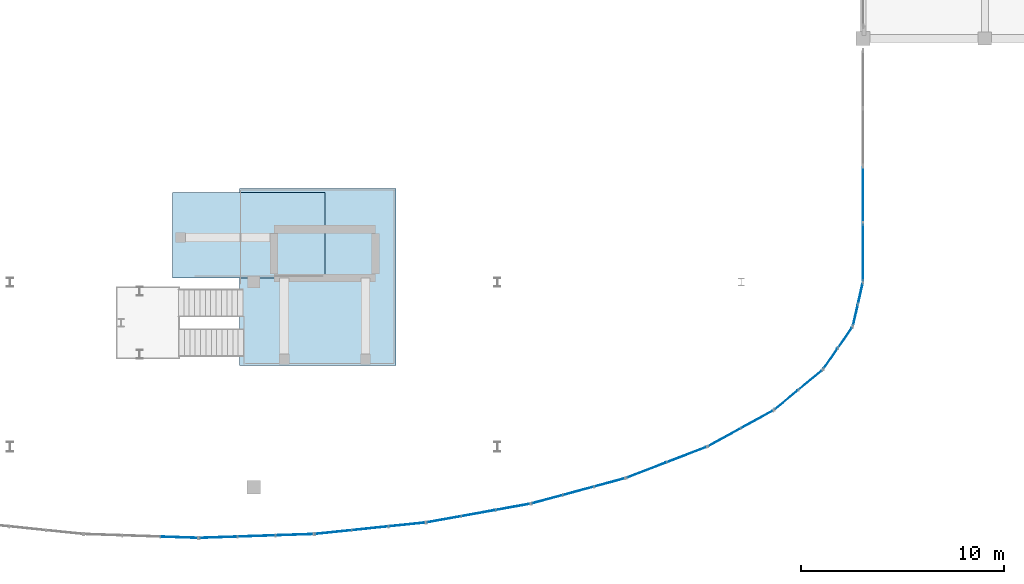
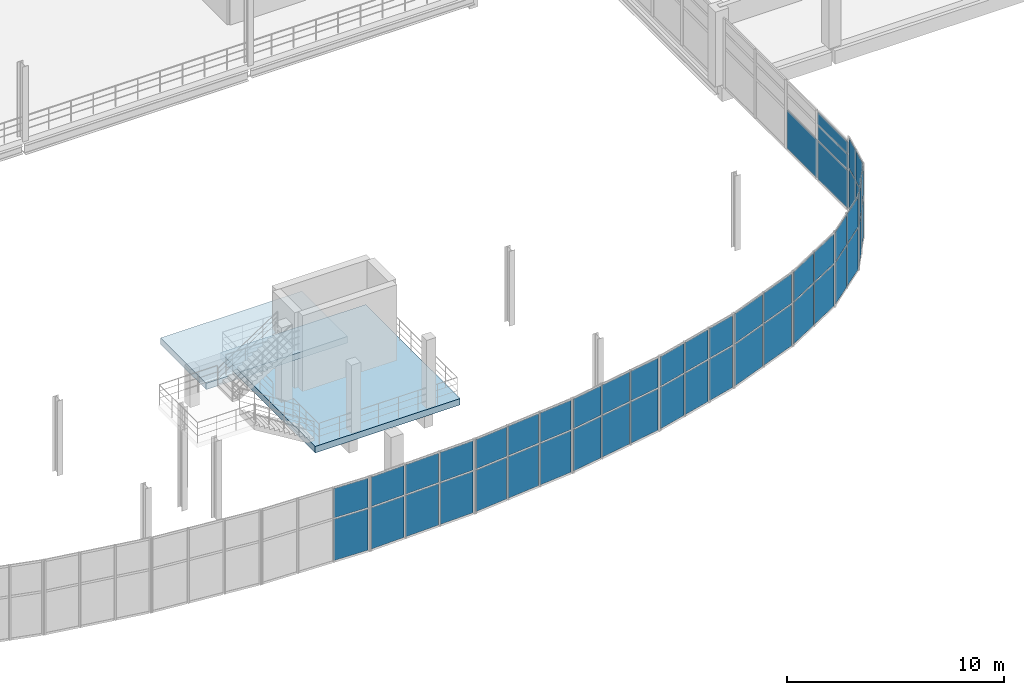
# One storey, part 60 of 89: 50 plates, 2 slabs, 11 elements without a shape of their own.
"""IFC4 building model written with IfcOpenShell, lengths in metres."""

from ifc_helpers import new_model, si_unit, direction, frame, origin, origin_2d, place, context, subcontext, project, spatial, polyline, rectangle, outline, extrude, material, layer, layer_set, type_object, element, aggregate, save


model = new_model("IFC4")

# Units and contexts
model_context = context("Model", 3, precision=1e-05, world=origin(), true_north=direction((0.0, 1.0)))
body_context = subcontext(model_context, "Body", "Model", "MODEL_VIEW")
ifc_project = project(units=[si_unit("LENGTHUNIT", "METRE"), si_unit("AREAUNIT", "SQUARE_METRE"), si_unit("VOLUMEUNIT", "CUBIC_METRE"), si_unit("PLANEANGLEUNIT", "RADIAN"), si_unit("MASSUNIT", "GRAM", prefix="KILO"), si_unit("THERMODYNAMICTEMPERATUREUNIT", "KELVIN"), si_unit("POWERUNIT", "WATT")], contexts=[model_context])

# Site, building, storey
site_placement = place(None, origin())
site = spatial("IfcSite", under=ifc_project, at=site_placement, CompositionType="ELEMENT")
building_placement = place(site_placement, origin())
building = spatial("IfcBuilding", under=site, at=building_placement, Name="Solmara Park Aquatics Centre", CompositionType="ELEMENT")
storey_placement = place(building_placement, frame((0.0, 0.0, 5.39990234375)))
storey = spatial("IfcBuildingStorey", under=building, at=storey_placement, Name="L01", CompositionType="ELEMENT", Elevation=5.39990234375)

# Curtain wall, plates
ifc_material_1 = material(Name="Anodised Aluminium Curtain Wall Framing", Category="aluminium")
curtain_wall_type_1 = type_object("IfcCurtainWallType", Name="ARC-CW-SYS04", PredefinedType="USERDEFINED", material=ifc_material_1)
curtain_wall_1_placement = place(storey_placement, origin())
curtain_wall_1 = element("IfcCurtainWall", 1, at=curtain_wall_1_placement, inside=storey, type_object=curtain_wall_type_1, Name="Curtain Wall CW-071", ObjectType="CURTAIN WALL", PredefinedType="USERDEFINED")
ifc_material_2 = material(Name="Double Low-E Solar-Control Glazing", Category="glass")
ifc_layer_1 = layer(ifc_material_2, 0.031982421875, Name="Double Low-E Solar-Control Glazing")
ifc_layer_set_1 = layer_set([ifc_layer_1], Name="Double Low-E Solar-Control Glazing")
plate_type_1 = type_object("IfcPlateType", Name="ARC-CWP-GLZ32-1000x1640", PredefinedType="CURTAIN_PANEL", material=ifc_layer_set_1)
plate_1_placement = place(storey_placement, frame((161.62744140625, 10.958984375, 2.47607421875), z_axis=(0.0, 0.0, 1.0), x_axis=(0.22142084897, 0.975178346582, 0.0)))
plate_1 = element("IfcPlate", 2, at=plate_1_placement, type_object=plate_type_1, Name="CW-071 panel 2", PredefinedType="CURTAIN_PANEL", context=body_context, shape_type="SweptSolid", body=[
    extrude(rectangle(XDim=1.001953125, YDim=0.031982421875, at=origin_2d()), origin(), (0.0, 0.0, 1.0), 1.64404296875),
])
plate_2_placement = place(storey_placement, frame((161.866943359375, 12.013916015625, 2.47607421875), z_axis=(0.0, 0.0, 1.0), x_axis=(0.22142084897, 0.975178346582, 0.0)))
plate_2 = element("IfcPlate", 3, at=plate_2_placement, type_object=plate_type_1, Name="CW-071 panel 4", PredefinedType="CURTAIN_PANEL", context=body_context, shape_type="SweptSolid", body=[
    extrude(rectangle(XDim=1.001953125, YDim=0.031982421875, at=origin_2d()), origin(), (0.0, 0.0, 1.0), 1.64404296875),
])
ifc_layer_2 = layer(ifc_material_2, 0.031982421875, Name="Double Low-E Solar-Control Glazing")
ifc_layer_set_2 = layer_set([ifc_layer_2], Name="Double Low-E Solar-Control Glazing")
plate_type_2 = type_object("IfcPlateType", Name="ARC-CWP-GLZ32-1000x2320", PredefinedType="CURTAIN_PANEL", material=ifc_layer_set_2)
plate_3_placement = place(storey_placement, frame((161.62744140625, 10.958984375, 0.080078125), z_axis=(0.0, 0.0, 1.0), x_axis=(0.22142084897, 0.975178346582, 0.0)))
plate_3 = element("IfcPlate", 4, at=plate_3_placement, type_object=plate_type_2, Name="CW-071 panel 1", PredefinedType="CURTAIN_PANEL", context=body_context, shape_type="SweptSolid", body=[
    extrude(rectangle(XDim=1.001953125, YDim=0.031982421875, at=origin_2d()), origin(), (0.0, 0.0, 1.0), 2.31591796875),
])
plate_4_placement = place(storey_placement, frame((161.866943359375, 12.013916015625, 0.080078125), z_axis=(0.0, 0.0, 1.0), x_axis=(0.22142084897, 0.975178346582, 0.0)))
plate_4 = element("IfcPlate", 5, at=plate_4_placement, type_object=plate_type_2, Name="CW-071 panel 3", PredefinedType="CURTAIN_PANEL", context=body_context, shape_type="SweptSolid", body=[
    extrude(rectangle(XDim=1.001953125, YDim=0.031982421875, at=origin_2d()), origin(), (0.0, 0.0, 1.0), 2.31591796875),
])
aggregate(curtain_wall_1, [plate_3, plate_1, plate_4, plate_2])

curtain_wall_2_placement = place(storey_placement, origin())
curtain_wall_2 = element("IfcCurtainWall", 6, at=curtain_wall_2_placement, inside=storey, type_object=curtain_wall_type_1, Name="Curtain Wall CW-068", ObjectType="CURTAIN WALL", PredefinedType="USERDEFINED")
ifc_layer_3 = layer(ifc_material_2, 0.031982421875, Name="Double Low-E Solar-Control Glazing")
ifc_layer_set_3 = layer_set([ifc_layer_3], Name="Double Low-E Solar-Control Glazing")
plate_type_3 = type_object("IfcPlateType", Name="ARC-CWP-GLZ32-1180x1640", PredefinedType="CURTAIN_PANEL", material=ifc_layer_set_3)
plate_5_placement = place(storey_placement, frame((160.396728515625, 8.82080078125, 2.47607421875), z_axis=(0.0, 0.0, 1.0), x_axis=(0.570927091568, 0.821000764989, 0.0)))
plate_5 = element("IfcPlate", 7, at=plate_5_placement, type_object=plate_type_3, Name="CW-068 panel 2", PredefinedType="CURTAIN_PANEL", context=body_context, shape_type="SweptSolid", body=[
    extrude(rectangle(XDim=1.172119140625, YDim=0.031982421875, at=origin_2d()), origin(), (0.0, 0.0, 1.0), 1.64404296875),
])
plate_6_placement = place(storey_placement, frame((161.111572265625, 9.848876953125, 2.47607421875), z_axis=(0.0, 0.0, 1.0), x_axis=(0.570927091568, 0.821000764989, 0.0)))
plate_6 = element("IfcPlate", 8, at=plate_6_placement, type_object=plate_type_3, Name="CW-068 panel 4", PredefinedType="CURTAIN_PANEL", context=body_context, shape_type="SweptSolid", body=[
    extrude(rectangle(XDim=1.172119140625, YDim=0.031982421875, at=origin_2d()), origin(), (0.0, 0.0, 1.0), 1.64404296875),
])
ifc_layer_4 = layer(ifc_material_2, 0.031982421875, Name="Double Low-E Solar-Control Glazing")
ifc_layer_set_4 = layer_set([ifc_layer_4], Name="Double Low-E Solar-Control Glazing")
plate_type_4 = type_object("IfcPlateType", Name="ARC-CWP-GLZ32-1180x2320", PredefinedType="CURTAIN_PANEL", material=ifc_layer_set_4)
plate_7_placement = place(storey_placement, frame((160.396728515625, 8.82080078125, 0.080078125), z_axis=(0.0, 0.0, 1.0), x_axis=(0.570927091568, 0.821000764989, 0.0)))
plate_7 = element("IfcPlate", 9, at=plate_7_placement, type_object=plate_type_4, Name="CW-068 panel 1", PredefinedType="CURTAIN_PANEL", context=body_context, shape_type="SweptSolid", body=[
    extrude(rectangle(XDim=1.172119140625, YDim=0.031982421875, at=origin_2d()), origin(), (0.0, 0.0, 1.0), 2.31591796875),
])
plate_8_placement = place(storey_placement, frame((161.111572265625, 9.848876953125, 0.080078125), z_axis=(0.0, 0.0, 1.0), x_axis=(0.570927091568, 0.821000764989, 0.0)))
plate_8 = element("IfcPlate", 10, at=plate_8_placement, type_object=plate_type_4, Name="CW-068 panel 3", PredefinedType="CURTAIN_PANEL", context=body_context, shape_type="SweptSolid", body=[
    extrude(rectangle(XDim=1.172119140625, YDim=0.031982421875, at=origin_2d()), origin(), (0.0, 0.0, 1.0), 2.31591796875),
])
aggregate(curtain_wall_2, [plate_7, plate_5, plate_8, plate_6])

curtain_wall_3_placement = place(storey_placement, origin())
curtain_wall_3 = element("IfcCurtainWall", 11, at=curtain_wall_3_placement, inside=storey, type_object=curtain_wall_type_1, Name="Curtain Wall CW-065", ObjectType="CURTAIN WALL", PredefinedType="USERDEFINED")
ifc_layer_5 = layer(ifc_material_2, 0.031982421875, Name="Double Low-E Solar-Control Glazing")
ifc_layer_set_5 = layer_set([ifc_layer_5], Name="Double Low-E Solar-Control Glazing")
plate_type_5 = type_object("IfcPlateType", Name="ARC-CWP-GLZ32-1440x1640", PredefinedType="CURTAIN_PANEL", material=ifc_layer_set_5)
plate_9_placement = place(storey_placement, frame((158.22119140625, 6.797607421875, 2.47607421875), z_axis=(0.0, 0.0, 1.0), x_axis=(0.770876909587, 0.636984136589, 0.0)))
plate_9 = element("IfcPlate", 12, at=plate_9_placement, type_object=plate_type_5, Name="CW-065 panel 2", PredefinedType="CURTAIN_PANEL", context=body_context, shape_type="SweptSolid", body=[
    extrude(rectangle(XDim=1.4423828125, YDim=0.031982421875, at=origin_2d()), origin(), (0.0, 0.0, 1.0), 1.64404296875),
])
plate_10_placement = place(storey_placement, frame((159.394775390625, 7.767333984375, 2.47607421875), z_axis=(0.0, 0.0, 1.0), x_axis=(0.770876909587, 0.636984136589, 0.0)))
plate_10 = element("IfcPlate", 13, at=plate_10_placement, type_object=plate_type_5, Name="CW-065 panel 4", PredefinedType="CURTAIN_PANEL", context=body_context, shape_type="SweptSolid", body=[
    extrude(rectangle(XDim=1.4423828125, YDim=0.031982421875, at=origin_2d()), origin(), (0.0, 0.0, 1.0), 1.64404296875),
])
ifc_layer_6 = layer(ifc_material_2, 0.031982421875, Name="Double Low-E Solar-Control Glazing")
ifc_layer_set_6 = layer_set([ifc_layer_6], Name="Double Low-E Solar-Control Glazing")
plate_type_6 = type_object("IfcPlateType", Name="ARC-CWP-GLZ32-1440x2320", PredefinedType="CURTAIN_PANEL", material=ifc_layer_set_6)
plate_11_placement = place(storey_placement, frame((158.22119140625, 6.797607421875, 0.080078125), z_axis=(0.0, 0.0, 1.0), x_axis=(0.770876909587, 0.636984136589, 0.0)))
plate_11 = element("IfcPlate", 14, at=plate_11_placement, type_object=plate_type_6, Name="CW-065 panel 1", PredefinedType="CURTAIN_PANEL", context=body_context, shape_type="SweptSolid", body=[
    extrude(rectangle(XDim=1.4423828125, YDim=0.031982421875, at=origin_2d()), origin(), (0.0, 0.0, 1.0), 2.31591796875),
])
plate_12_placement = place(storey_placement, frame((159.394775390625, 7.767333984375, 0.080078125), z_axis=(0.0, 0.0, 1.0), x_axis=(0.770876909587, 0.636984136589, 0.0)))
plate_12 = element("IfcPlate", 15, at=plate_12_placement, type_object=plate_type_6, Name="CW-065 panel 3", PredefinedType="CURTAIN_PANEL", context=body_context, shape_type="SweptSolid", body=[
    extrude(rectangle(XDim=1.4423828125, YDim=0.031982421875, at=origin_2d()), origin(), (0.0, 0.0, 1.0), 2.31591796875),
])
aggregate(curtain_wall_3, [plate_11, plate_9, plate_12, plate_10])

curtain_wall_4_placement = place(storey_placement, origin())
curtain_wall_4 = element("IfcCurtainWall", 16, at=curtain_wall_4_placement, inside=storey, type_object=curtain_wall_type_1, Name="Curtain Wall CW-056", ObjectType="CURTAIN WALL", PredefinedType="USERDEFINED")
ifc_layer_7 = layer(ifc_material_2, 0.031982421875, Name="Double Low-E Solar-Control Glazing")
ifc_layer_set_7 = layer_set([ifc_layer_7], Name="Double Low-E Solar-Control Glazing")
plate_type_7 = type_object("IfcPlateType", Name="ARC-CWP-GLZ32-1500x1640", PredefinedType="CURTAIN_PANEL", material=ifc_layer_set_7)
plate_13_placement = place(storey_placement, frame((146.4345703125, 1.89990234375, 2.47607421875), z_axis=(0.0, 0.0, 1.0), x_axis=(0.965480359779, 0.260475862378, 0.0)))
plate_13 = element("IfcPlate", 17, at=plate_13_placement, type_object=plate_type_7, Name="CW-056 panel 2", PredefinedType="CURTAIN_PANEL", context=body_context, shape_type="SweptSolid", body=[
    extrude(rectangle(XDim=1.50537109375, YDim=0.031982421875, at=origin_2d()), origin(), (0.0, 0.0, 1.0), 1.64404296875),
])
plate_14_placement = place(storey_placement, frame((147.96533203125, 2.312744140625, 2.47607421875), z_axis=(0.0, 0.0, 1.0), x_axis=(0.965480359779, 0.260475862378, 0.0)))
plate_14 = element("IfcPlate", 18, at=plate_14_placement, type_object=plate_type_7, Name="CW-056 panel 4", PredefinedType="CURTAIN_PANEL", context=body_context, shape_type="SweptSolid", body=[
    extrude(rectangle(XDim=1.50537109375, YDim=0.031982421875, at=origin_2d()), origin(), (0.0, 0.0, 1.0), 1.64404296875),
])
plate_15_placement = place(storey_placement, frame((149.495849609375, 2.7255859375, 2.47607421875), z_axis=(0.0, 0.0, 1.0), x_axis=(0.965480359779, 0.260475862378, 0.0)))
plate_15 = element("IfcPlate", 19, at=plate_15_placement, type_object=plate_type_7, Name="CW-056 panel 6", PredefinedType="CURTAIN_PANEL", context=body_context, shape_type="SweptSolid", body=[
    extrude(rectangle(XDim=1.505615234375, YDim=0.031982421875, at=origin_2d()), origin(), (0.0, 0.0, 1.0), 1.64404296875),
])
ifc_layer_8 = layer(ifc_material_2, 0.031982421875, Name="Double Low-E Solar-Control Glazing")
ifc_layer_set_8 = layer_set([ifc_layer_8], Name="Double Low-E Solar-Control Glazing")
plate_type_8 = type_object("IfcPlateType", Name="ARC-CWP-GLZ32-1500x2320", PredefinedType="CURTAIN_PANEL", material=ifc_layer_set_8)
plate_16_placement = place(storey_placement, frame((146.4345703125, 1.89990234375, 0.080078125), z_axis=(0.0, 0.0, 1.0), x_axis=(0.965480359779, 0.260475862378, 0.0)))
plate_16 = element("IfcPlate", 20, at=plate_16_placement, type_object=plate_type_8, Name="CW-056 panel 1", PredefinedType="CURTAIN_PANEL", context=body_context, shape_type="SweptSolid", body=[
    extrude(rectangle(XDim=1.50537109375, YDim=0.031982421875, at=origin_2d()), origin(), (0.0, 0.0, 1.0), 2.31591796875),
])
plate_17_placement = place(storey_placement, frame((147.96533203125, 2.312744140625, 0.080078125), z_axis=(0.0, 0.0, 1.0), x_axis=(0.965480359779, 0.260475862378, 0.0)))
plate_17 = element("IfcPlate", 21, at=plate_17_placement, type_object=plate_type_8, Name="CW-056 panel 3", PredefinedType="CURTAIN_PANEL", context=body_context, shape_type="SweptSolid", body=[
    extrude(rectangle(XDim=1.50537109375, YDim=0.031982421875, at=origin_2d()), origin(), (0.0, 0.0, 1.0), 2.31591796875),
])
plate_18_placement = place(storey_placement, frame((149.495849609375, 2.7255859375, 0.080078125), z_axis=(0.0, 0.0, 1.0), x_axis=(0.965480359779, 0.260475862378, 0.0)))
plate_18 = element("IfcPlate", 22, at=plate_18_placement, type_object=plate_type_8, Name="CW-056 panel 5", PredefinedType="CURTAIN_PANEL", context=body_context, shape_type="SweptSolid", body=[
    extrude(rectangle(XDim=1.505615234375, YDim=0.031982421875, at=origin_2d()), origin(), (0.0, 0.0, 1.0), 2.31591796875),
])
aggregate(curtain_wall_4, [plate_16, plate_13, plate_17, plate_14, plate_18, plate_15])

curtain_wall_5_placement = place(storey_placement, origin())
curtain_wall_5 = element("IfcCurtainWall", 23, at=curtain_wall_5_placement, inside=storey, type_object=curtain_wall_type_1, Name="Curtain Wall CW-053", ObjectType="CURTAIN WALL", PredefinedType="USERDEFINED")
ifc_layer_9 = layer(ifc_material_2, 0.031982421875, Name="Double Low-E Solar-Control Glazing")
ifc_layer_set_9 = layer_set([ifc_layer_9], Name="Double Low-E Solar-Control Glazing")
plate_type_9 = type_object("IfcPlateType", Name="ARC-CWP-GLZ32-1640x1640", PredefinedType="CURTAIN_PANEL", material=ifc_layer_set_9)
plate_19_placement = place(storey_placement, frame((141.351806640625, 0.915771484375, 2.47607421875), z_axis=(0.0, 0.0, 1.0), x_axis=(0.9842385399, 0.176845968502, 0.0)))
plate_19 = element("IfcPlate", 24, at=plate_19_placement, type_object=plate_type_9, Name="CW-053 panel 2", PredefinedType="CURTAIN_PANEL", context=body_context, shape_type="SweptSolid", body=[
    extrude(rectangle(XDim=1.642822265625, YDim=0.031982421875, at=origin_2d()), origin(), (0.0, 0.0, 1.0), 1.64404296875),
])
plate_20_placement = place(storey_placement, frame((143.04736328125, 1.220458984375, 2.47607421875), z_axis=(0.0, 0.0, 1.0), x_axis=(0.9842385399, 0.176845968502, 0.0)))
plate_20 = element("IfcPlate", 25, at=plate_20_placement, type_object=plate_type_9, Name="CW-053 panel 4", PredefinedType="CURTAIN_PANEL", context=body_context, shape_type="SweptSolid", body=[
    extrude(rectangle(XDim=1.642822265625, YDim=0.031982421875, at=origin_2d()), origin(), (0.0, 0.0, 1.0), 1.64404296875),
])
plate_21_placement = place(storey_placement, frame((144.7431640625, 1.525146484375, 2.47607421875), z_axis=(0.0, 0.0, 1.0), x_axis=(0.9842385399, 0.176845968502, 0.0)))
plate_21 = element("IfcPlate", 26, at=plate_21_placement, type_object=plate_type_9, Name="CW-053 panel 6", PredefinedType="CURTAIN_PANEL", context=body_context, shape_type="SweptSolid", body=[
    extrude(rectangle(XDim=1.642822265625, YDim=0.031982421875, at=origin_2d()), origin(), (0.0, 0.0, 1.0), 1.64404296875),
])
ifc_layer_10 = layer(ifc_material_2, 0.031982421875, Name="Double Low-E Solar-Control Glazing")
ifc_layer_set_10 = layer_set([ifc_layer_10], Name="Double Low-E Solar-Control Glazing")
plate_type_10 = type_object("IfcPlateType", Name="ARC-CWP-GLZ32-1640x2320", PredefinedType="CURTAIN_PANEL", material=ifc_layer_set_10)
plate_22_placement = place(storey_placement, frame((141.351806640625, 0.915771484375, 0.080078125), z_axis=(0.0, 0.0, 1.0), x_axis=(0.9842385399, 0.176845968502, 0.0)))
plate_22 = element("IfcPlate", 27, at=plate_22_placement, type_object=plate_type_10, Name="CW-053 panel 1", PredefinedType="CURTAIN_PANEL", context=body_context, shape_type="SweptSolid", body=[
    extrude(rectangle(XDim=1.642822265625, YDim=0.031982421875, at=origin_2d()), origin(), (0.0, 0.0, 1.0), 2.31591796875),
])
plate_23_placement = place(storey_placement, frame((143.04736328125, 1.220458984375, 0.080078125), z_axis=(0.0, 0.0, 1.0), x_axis=(0.9842385399, 0.176845968502, 0.0)))
plate_23 = element("IfcPlate", 28, at=plate_23_placement, type_object=plate_type_10, Name="CW-053 panel 3", PredefinedType="CURTAIN_PANEL", context=body_context, shape_type="SweptSolid", body=[
    extrude(rectangle(XDim=1.642822265625, YDim=0.031982421875, at=origin_2d()), origin(), (0.0, 0.0, 1.0), 2.31591796875),
])
plate_24_placement = place(storey_placement, frame((144.7431640625, 1.525146484375, 0.080078125), z_axis=(0.0, 0.0, 1.0), x_axis=(0.9842385399, 0.176845968502, 0.0)))
plate_24 = element("IfcPlate", 29, at=plate_24_placement, type_object=plate_type_10, Name="CW-053 panel 5", PredefinedType="CURTAIN_PANEL", context=body_context, shape_type="SweptSolid", body=[
    extrude(rectangle(XDim=1.642822265625, YDim=0.031982421875, at=origin_2d()), origin(), (0.0, 0.0, 1.0), 2.31591796875),
])
aggregate(curtain_wall_5, [plate_22, plate_19, plate_23, plate_20, plate_24, plate_21])

curtain_wall_6_placement = place(storey_placement, origin())
curtain_wall_6 = element("IfcCurtainWall", 30, at=curtain_wall_6_placement, inside=storey, type_object=curtain_wall_type_1, Name="Curtain Wall CW-050", ObjectType="CURTAIN WALL", PredefinedType="USERDEFINED")
ifc_layer_11 = layer(ifc_material_2, 0.031982421875, Name="Double Low-E Solar-Control Glazing")
ifc_layer_set_11 = layer_set([ifc_layer_11], Name="Double Low-E Solar-Control Glazing")
plate_type_11 = type_object("IfcPlateType", Name="ARC-CWP-GLZ32-1740x1640", PredefinedType="CURTAIN_PANEL", material=ifc_layer_set_11)
plate_25_placement = place(storey_placement, frame((135.902587890625, 0.286865234375, 2.47607421875), z_axis=(0.0, 0.0, 1.0), x_axis=(0.994711425154, 0.102709204398, 0.0)))
plate_25 = element("IfcPlate", 31, at=plate_25_placement, type_object=plate_type_11, Name="CW-050 panel 2", PredefinedType="CURTAIN_PANEL", context=body_context, shape_type="SweptSolid", body=[
    extrude(rectangle(XDim=1.73828125, YDim=0.031982421875, at=origin_2d()), origin(), (0.0, 0.0, 1.0), 1.64404296875),
])
plate_26_placement = place(storey_placement, frame((137.711181640625, 0.4736328125, 2.47607421875), z_axis=(0.0, 0.0, 1.0), x_axis=(0.994711425154, 0.102709204398, 0.0)))
plate_26 = element("IfcPlate", 32, at=plate_26_placement, type_object=plate_type_11, Name="CW-050 panel 4", PredefinedType="CURTAIN_PANEL", context=body_context, shape_type="SweptSolid", body=[
    extrude(rectangle(XDim=1.73828125, YDim=0.031982421875, at=origin_2d()), origin(), (0.0, 0.0, 1.0), 1.64404296875),
])
plate_27_placement = place(storey_placement, frame((139.52001953125, 0.660400390625, 2.47607421875), z_axis=(0.0, 0.0, 1.0), x_axis=(0.994711425154, 0.102709204398, 0.0)))
plate_27 = element("IfcPlate", 33, at=plate_27_placement, type_object=plate_type_11, Name="CW-050 panel 6", PredefinedType="CURTAIN_PANEL", context=body_context, shape_type="SweptSolid", body=[
    extrude(rectangle(XDim=1.73828125, YDim=0.031982421875, at=origin_2d()), origin(), (0.0, 0.0, 1.0), 1.64404296875),
])

curtain_wall_7_placement = place(storey_placement, origin())
curtain_wall_7 = element("IfcCurtainWall", 34, at=curtain_wall_7_placement, inside=storey, type_object=curtain_wall_type_1, Name="Curtain Wall CW-062", ObjectType="CURTAIN WALL", PredefinedType="USERDEFINED")
plate_28_placement = place(storey_placement, frame((155.1669921875, 4.95068359375, 2.47607421875), z_axis=(0.0, 0.0, 1.0), x_axis=(0.876104806664, 0.482120698311, 0.0)))
plate_28 = element("IfcPlate", 35, at=plate_28_placement, type_object=plate_type_11, Name="CW-062 panel 2", PredefinedType="CURTAIN_PANEL", context=body_context, shape_type="SweptSolid", body=[
    extrude(rectangle(XDim=1.745849609375, YDim=0.031982421875, at=origin_2d()), origin(), (0.0, 0.0, 1.0), 1.64404296875),
])
plate_29_placement = place(storey_placement, frame((156.7666015625, 5.830810546875, 2.47607421875), z_axis=(0.0, 0.0, 1.0), x_axis=(0.876104806664, 0.482120698311, 0.0)))
plate_29 = element("IfcPlate", 36, at=plate_29_placement, type_object=plate_type_11, Name="CW-062 panel 4", PredefinedType="CURTAIN_PANEL", context=body_context, shape_type="SweptSolid", body=[
    extrude(rectangle(XDim=1.745849609375, YDim=0.031982421875, at=origin_2d()), origin(), (0.0, 0.0, 1.0), 1.64404296875),
])

# Plate
ifc_layer_12 = layer(ifc_material_2, 0.031982421875, Name="Double Low-E Solar-Control Glazing")
ifc_layer_set_12 = layer_set([ifc_layer_12], Name="Double Low-E Solar-Control Glazing")
plate_type_12 = type_object("IfcPlateType", Name="ARC-CWP-GLZ32-1740x2320", PredefinedType="CURTAIN_PANEL", material=ifc_layer_set_12)
plate_30_placement = place(storey_placement, frame((135.902587890625, 0.286865234375, 0.080078125), z_axis=(0.0, 0.0, 1.0), x_axis=(0.994711425154, 0.102709204398, 0.0)))
plate_30 = element("IfcPlate", 37, at=plate_30_placement, type_object=plate_type_12, Name="CW-050 panel 1", PredefinedType="CURTAIN_PANEL", context=body_context, shape_type="SweptSolid", body=[
    extrude(rectangle(XDim=1.73828125, YDim=0.031982421875, at=origin_2d()), origin(), (0.0, 0.0, 1.0), 2.31591796875),
])

plate_31_placement = place(storey_placement, frame((137.711181640625, 0.4736328125, 0.080078125), z_axis=(0.0, 0.0, 1.0), x_axis=(0.994711425154, 0.102709204398, 0.0)))
plate_31 = element("IfcPlate", 38, at=plate_31_placement, type_object=plate_type_12, Name="CW-050 panel 3", PredefinedType="CURTAIN_PANEL", context=body_context, shape_type="SweptSolid", body=[
    extrude(rectangle(XDim=1.73828125, YDim=0.031982421875, at=origin_2d()), origin(), (0.0, 0.0, 1.0), 2.31591796875),
])

plate_32_placement = place(storey_placement, frame((139.52001953125, 0.660400390625, 0.080078125), z_axis=(0.0, 0.0, 1.0), x_axis=(0.994711425154, 0.102709204398, 0.0)))
plate_32 = element("IfcPlate", 39, at=plate_32_placement, type_object=plate_type_12, Name="CW-050 panel 5", PredefinedType="CURTAIN_PANEL", context=body_context, shape_type="SweptSolid", body=[
    extrude(rectangle(XDim=1.73828125, YDim=0.031982421875, at=origin_2d()), origin(), (0.0, 0.0, 1.0), 2.31591796875),
])

aggregate(curtain_wall_6, [plate_30, plate_25, plate_31, plate_26, plate_32, plate_27])

plate_33_placement = place(storey_placement, frame((155.1669921875, 4.95068359375, 0.080078125), z_axis=(0.0, 0.0, 1.0), x_axis=(0.876104806664, 0.482120698311, 0.0)))
plate_33 = element("IfcPlate", 40, at=plate_33_placement, type_object=plate_type_12, Name="CW-062 panel 1", PredefinedType="CURTAIN_PANEL", context=body_context, shape_type="SweptSolid", body=[
    extrude(rectangle(XDim=1.745849609375, YDim=0.031982421875, at=origin_2d()), origin(), (0.0, 0.0, 1.0), 2.31591796875),
])

plate_34_placement = place(storey_placement, frame((156.7666015625, 5.830810546875, 0.080078125), z_axis=(0.0, 0.0, 1.0), x_axis=(0.876104806664, 0.482120698311, 0.0)))
plate_34 = element("IfcPlate", 41, at=plate_34_placement, type_object=plate_type_12, Name="CW-062 panel 3", PredefinedType="CURTAIN_PANEL", context=body_context, shape_type="SweptSolid", body=[
    extrude(rectangle(XDim=1.745849609375, YDim=0.031982421875, at=origin_2d()), origin(), (0.0, 0.0, 1.0), 2.31591796875),
])

aggregate(curtain_wall_7, [plate_33, plate_28, plate_34, plate_29])

# Curtain wall, plate
curtain_wall_8_placement = place(storey_placement, origin())
curtain_wall_8 = element("IfcCurtainWall", 42, at=curtain_wall_8_placement, inside=storey, type_object=curtain_wall_type_1, Name="Curtain Wall CW-044", ObjectType="CURTAIN WALL", PredefinedType="USERDEFINED")
ifc_layer_13 = layer(ifc_material_2, 0.031982421875, Name="Double Low-E Solar-Control Glazing")
ifc_layer_set_13 = layer_set([ifc_layer_13], Name="Double Low-E Solar-Control Glazing")
plate_type_13 = type_object("IfcPlateType", Name="ARC-CWP-GLZ32-1780x1640", PredefinedType="CURTAIN_PANEL", material=ifc_layer_set_13)
plate_35_placement = place(storey_placement, frame((128.306884765625, 0.033447265625, 2.47607421875), z_axis=(0.0, 0.0, 1.0), x_axis=(0.999432366194, -0.033688950762, 0.0)))
plate_35 = element("IfcPlate", 43, at=plate_35_placement, type_object=plate_type_13, Name="CW-044 panel 6", PredefinedType="CURTAIN_PANEL", context=body_context, shape_type="SweptSolid", body=[
    extrude(rectangle(XDim=1.787109375, YDim=0.031982421875, at=origin_2d()), origin(), (0.0, 0.0, 1.0), 1.64404296875),
])

# Curtain wall, plates
curtain_wall_9_placement = place(storey_placement, origin())
curtain_wall_9 = element("IfcCurtainWall", 44, at=curtain_wall_9_placement, inside=storey, type_object=curtain_wall_type_1, Name="Curtain Wall CW-047", ObjectType="CURTAIN WALL", PredefinedType="USERDEFINED")
plate_36_placement = place(storey_placement, frame((130.253173828125, 0.031982421875, 2.47607421875), z_axis=(0.0, 0.0, 1.0), x_axis=(0.999432366194, 0.033688950762, 0.0)))
plate_36 = element("IfcPlate", 45, at=plate_36_placement, type_object=plate_type_13, Name="CW-047 panel 2", PredefinedType="CURTAIN_PANEL", context=body_context, shape_type="SweptSolid", body=[
    extrude(rectangle(XDim=1.787109375, YDim=0.031982421875, at=origin_2d()), origin(), (0.0, 0.0, 1.0), 1.64404296875),
])
plate_37_placement = place(storey_placement, frame((132.119140625, 0.094970703125, 2.47607421875), z_axis=(0.0, 0.0, 1.0), x_axis=(0.999432366194, 0.033688950762, 0.0)))
plate_37 = element("IfcPlate", 46, at=plate_37_placement, type_object=plate_type_13, Name="CW-047 panel 4", PredefinedType="CURTAIN_PANEL", context=body_context, shape_type="SweptSolid", body=[
    extrude(rectangle(XDim=1.787109375, YDim=0.031982421875, at=origin_2d()), origin(), (0.0, 0.0, 1.0), 1.64404296875),
])
plate_38_placement = place(storey_placement, frame((133.9853515625, 0.157958984375, 2.47607421875), z_axis=(0.0, 0.0, 1.0), x_axis=(0.999432366194, 0.033688950762, 0.0)))
plate_38 = element("IfcPlate", 47, at=plate_38_placement, type_object=plate_type_13, Name="CW-047 panel 6", PredefinedType="CURTAIN_PANEL", context=body_context, shape_type="SweptSolid", body=[
    extrude(rectangle(XDim=1.787109375, YDim=0.031982421875, at=origin_2d()), origin(), (0.0, 0.0, 1.0), 1.64404296875),
])

# Plate
ifc_layer_14 = layer(ifc_material_2, 0.031982421875, Name="Double Low-E Solar-Control Glazing")
ifc_layer_set_14 = layer_set([ifc_layer_14], Name="Double Low-E Solar-Control Glazing")
plate_type_14 = type_object("IfcPlateType", Name="ARC-CWP-GLZ32-1780x2320", PredefinedType="CURTAIN_PANEL", material=ifc_layer_set_14)
plate_39_placement = place(storey_placement, frame((128.306884765625, 0.033447265625, 0.080078125), z_axis=(0.0, 0.0, 1.0), x_axis=(0.999432366194, -0.033688950762, 0.0)))
plate_39 = element("IfcPlate", 48, at=plate_39_placement, type_object=plate_type_14, Name="CW-044 panel 5", PredefinedType="CURTAIN_PANEL", context=body_context, shape_type="SweptSolid", body=[
    extrude(rectangle(XDim=1.787109375, YDim=0.031982421875, at=origin_2d()), origin(), (0.0, 0.0, 1.0), 2.31591796875),
])

aggregate(curtain_wall_8, [plate_39, plate_35])

plate_40_placement = place(storey_placement, frame((130.253173828125, 0.031982421875, 0.080078125), z_axis=(0.0, 0.0, 1.0), x_axis=(0.999432366194, 0.033688950762, 0.0)))
plate_40 = element("IfcPlate", 49, at=plate_40_placement, type_object=plate_type_14, Name="CW-047 panel 1", PredefinedType="CURTAIN_PANEL", context=body_context, shape_type="SweptSolid", body=[
    extrude(rectangle(XDim=1.787109375, YDim=0.031982421875, at=origin_2d()), origin(), (0.0, 0.0, 1.0), 2.31591796875),
])

plate_41_placement = place(storey_placement, frame((132.119140625, 0.094970703125, 0.080078125), z_axis=(0.0, 0.0, 1.0), x_axis=(0.999432366194, 0.033688950762, 0.0)))
plate_41 = element("IfcPlate", 50, at=plate_41_placement, type_object=plate_type_14, Name="CW-047 panel 3", PredefinedType="CURTAIN_PANEL", context=body_context, shape_type="SweptSolid", body=[
    extrude(rectangle(XDim=1.787109375, YDim=0.031982421875, at=origin_2d()), origin(), (0.0, 0.0, 1.0), 2.31591796875),
])

plate_42_placement = place(storey_placement, frame((133.9853515625, 0.157958984375, 0.080078125), z_axis=(0.0, 0.0, 1.0), x_axis=(0.999432366194, 0.033688950762, 0.0)))
plate_42 = element("IfcPlate", 51, at=plate_42_placement, type_object=plate_type_14, Name="CW-047 panel 5", PredefinedType="CURTAIN_PANEL", context=body_context, shape_type="SweptSolid", body=[
    extrude(rectangle(XDim=1.787109375, YDim=0.031982421875, at=origin_2d()), origin(), (0.0, 0.0, 1.0), 2.31591796875),
])

aggregate(curtain_wall_9, [plate_40, plate_36, plate_41, plate_37, plate_42, plate_38])

# Curtain wall, plates
curtain_wall_10_placement = place(storey_placement, origin())
curtain_wall_10 = element("IfcCurtainWall", 52, at=curtain_wall_10_placement, inside=storey, type_object=curtain_wall_type_1, Name="Curtain Wall CW-059", ObjectType="CURTAIN WALL", PredefinedType="USERDEFINED")
ifc_layer_15 = layer(ifc_material_2, 0.031982421875, Name="Double Low-E Solar-Control Glazing")
ifc_layer_set_15 = layer_set([ifc_layer_15], Name="Double Low-E Solar-Control Glazing")
plate_type_15 = type_object("IfcPlateType", Name="ARC-CWP-GLZ32-2040x1640", PredefinedType="CURTAIN_PANEL", material=ifc_layer_set_15)
plate_43_placement = place(storey_placement, frame((151.326904296875, 3.336181640625, 2.47607421875), z_axis=(0.0, 0.0, 1.0), x_axis=(0.933119937966, 0.35956526719, 0.0)))
plate_43 = element("IfcPlate", 53, at=plate_43_placement, type_object=plate_type_15, Name="CW-059 panel 2", PredefinedType="CURTAIN_PANEL", context=body_context, shape_type="SweptSolid", body=[
    extrude(rectangle(XDim=2.039794921875, YDim=0.031982421875, at=origin_2d()), origin(), (0.0, 0.0, 1.0), 1.64404296875),
])
plate_44_placement = place(storey_placement, frame((153.3046875, 4.09814453125, 2.47607421875), z_axis=(0.0, 0.0, 1.0), x_axis=(0.933119937966, 0.35956526719, 0.0)))
plate_44 = element("IfcPlate", 54, at=plate_44_placement, type_object=plate_type_15, Name="CW-059 panel 4", PredefinedType="CURTAIN_PANEL", context=body_context, shape_type="SweptSolid", body=[
    extrude(rectangle(XDim=2.039794921875, YDim=0.031982421875, at=origin_2d()), origin(), (0.0, 0.0, 1.0), 1.64404296875),
])
ifc_layer_16 = layer(ifc_material_2, 0.031982421875, Name="Double Low-E Solar-Control Glazing")
ifc_layer_set_16 = layer_set([ifc_layer_16], Name="Double Low-E Solar-Control Glazing")
plate_type_16 = type_object("IfcPlateType", Name="ARC-CWP-GLZ32-2040x2320", PredefinedType="CURTAIN_PANEL", material=ifc_layer_set_16)
plate_45_placement = place(storey_placement, frame((151.326904296875, 3.336181640625, 0.080078125), z_axis=(0.0, 0.0, 1.0), x_axis=(0.933119937966, 0.35956526719, 0.0)))
plate_45 = element("IfcPlate", 55, at=plate_45_placement, type_object=plate_type_16, Name="CW-059 panel 1", PredefinedType="CURTAIN_PANEL", context=body_context, shape_type="SweptSolid", body=[
    extrude(rectangle(XDim=2.039794921875, YDim=0.031982421875, at=origin_2d()), origin(), (0.0, 0.0, 1.0), 2.31591796875),
])
plate_46_placement = place(storey_placement, frame((153.3046875, 4.09814453125, 0.080078125), z_axis=(0.0, 0.0, 1.0), x_axis=(0.933119937966, 0.35956526719, 0.0)))
plate_46 = element("IfcPlate", 56, at=plate_46_placement, type_object=plate_type_16, Name="CW-059 panel 3", PredefinedType="CURTAIN_PANEL", context=body_context, shape_type="SweptSolid", body=[
    extrude(rectangle(XDim=2.039794921875, YDim=0.031982421875, at=origin_2d()), origin(), (0.0, 0.0, 1.0), 2.31591796875),
])
aggregate(curtain_wall_10, [plate_45, plate_43, plate_46, plate_44])

curtain_wall_type_2 = type_object("IfcCurtainWallType", Name="ARC-CW-SYS03", PredefinedType="USERDEFINED", material=ifc_material_1)
curtain_wall_11_placement = place(storey_placement, origin())
curtain_wall_11 = element("IfcCurtainWall", 57, at=curtain_wall_11_placement, inside=storey, type_object=curtain_wall_type_2, Name="Curtain Wall CW-075", ObjectType="CURTAIN WALL", PredefinedType="USERDEFINED")
ifc_layer_17 = layer(ifc_material_2, 0.035888671875, Name="Double Low-E Solar-Control Glazing")
ifc_layer_set_17 = layer_set([ifc_layer_17], Name="Double Low-E Solar-Control Glazing")
plate_type_17 = type_object("IfcPlateType", Name="ARC-CWP-GLZ36-2760x2140", PredefinedType="CURTAIN_PANEL", material=ifc_layer_set_17)
plate_47_placement = place(storey_placement, frame((162.0, 14.0400390625, 0.080078125), z_axis=(0.0, 0.0, 1.0), x_axis=(0.0, 1.0, 0.0)))
plate_47 = element("IfcPlate", 58, at=plate_47_placement, type_object=plate_type_17, Name="CW-075 panel 1", PredefinedType="CURTAIN_PANEL", context=body_context, shape_type="SweptSolid", body=[
    extrude(rectangle(XDim=2.760009765625, YDim=0.035888671875, at=origin_2d()), origin(), (0.0, 0.0, 1.0), 2.13037109375),
])
plate_48_placement = place(storey_placement, frame((162.0, 16.8798828125, 0.080078125), z_axis=(0.0, 0.0, 1.0), x_axis=(0.0, 1.0, 0.0)))
plate_48 = element("IfcPlate", 59, at=plate_48_placement, type_object=plate_type_17, Name="CW-075 panel 4", PredefinedType="CURTAIN_PANEL", context=body_context, shape_type="SweptSolid", body=[
    extrude(rectangle(XDim=2.760009765625, YDim=0.035888671875, at=origin_2d()), origin(), (0.0, 0.0, 1.0), 2.13037109375),
])
ifc_layer_18 = layer(ifc_material_2, 0.035888671875, Name="Double Low-E Solar-Control Glazing")
ifc_layer_set_18 = layer_set([ifc_layer_18], Name="Double Low-E Solar-Control Glazing")
plate_type_18 = type_object("IfcPlateType", Name="ARC-CWP-GLZ36-2760x800", PredefinedType="CURTAIN_PANEL", material=ifc_layer_set_18)
plate_49_placement = place(storey_placement, frame((162.0, 14.0400390625, 2.29052734375), z_axis=(0.0, 0.0, 1.0), x_axis=(0.0, 1.0, 0.0)))
plate_49 = element("IfcPlate", 60, at=plate_49_placement, type_object=plate_type_18, Name="CW-075 panel 2", PredefinedType="CURTAIN_PANEL", context=body_context, shape_type="SweptSolid", body=[
    extrude(rectangle(XDim=2.760009765625, YDim=0.035888671875, at=origin_2d()), origin(), (0.0, 0.0, 1.0), 0.799560546875),
])
ifc_material_3 = material(Name="Insulated Anodised Aluminium Spandrel Panel", Category="aluminium")
ifc_layer_19 = layer(ifc_material_3, 0.0439453125, Name="Insulated Anodised Aluminium Spandrel Panel")
ifc_layer_set_19 = layer_set([ifc_layer_19], Name="Insulated Anodised Aluminium Spandrel Panel")
plate_type_19 = type_object("IfcPlateType", Name="ARC-CWP-SPN44-2760x620", PredefinedType="CURTAIN_PANEL", material=ifc_layer_set_19)
plate_50_placement = place(storey_placement, frame((162.0, 14.0400390625, 3.170166015625), z_axis=(0.0, 0.0, 1.0), x_axis=(0.0, 1.0, 0.0)))
plate_50 = element("IfcPlate", 61, at=plate_50_placement, type_object=plate_type_19, Name="CW-075 panel 3", PredefinedType="CURTAIN_PANEL", context=body_context, shape_type="SweptSolid", body=[
    extrude(rectangle(XDim=2.760009765625, YDim=0.0439453125, at=origin_2d()), origin(), (0.0, 0.0, 1.0), 0.6298828125),
])
aggregate(curtain_wall_11, [plate_47, plate_49, plate_50, plate_48])

# Slabs
ifc_material_4 = material(Name="Concrete C40/50", Category="concrete")
ifc_layer_20 = layer(ifc_material_4, 0.360107421875, Name="Concrete C40/50")
ifc_layer_set_20 = layer_set([ifc_layer_20], Name="Concrete C40/50")
slab_type = type_object("IfcSlabType", Name="STR-SLB-DIV360", PredefinedType="FLOOR", material=ifc_layer_set_20)
slab_1_placement = place(storey_placement, frame((0.0, 0.0, -0.35986328125)))
element("IfcSlab", 62, at=slab_1_placement, inside=storey, type_object=slab_type, Name="Diving Platform SLB-DIV-5M (+5.4m)", PredefinedType="FLOOR", context=body_context, shape_type="SweptSolid", body=[
    extrude(outline(polyline([(131.300048828125, 8.5), (139.0, 8.5), (139.0, 17.199951171875), (131.300048828125, 17.199951171875), (131.300048828125, 8.5)])), origin(), (0.0, 0.0, 1.0), 0.35986328125),
])
slab_2_placement = place(storey_placement, frame((0.0, 0.0, 1.739990234375)))
element("IfcSlab", 63, at=slab_2_placement, inside=storey, type_object=slab_type, Name="Diving Platform SLB-DIV-7M5 (+7.5m)", PredefinedType="FLOOR", context=body_context, shape_type="SweptSolid", body=[
    extrude(outline(polyline([(128.0, 12.800048828125), (135.5, 12.800048828125), (135.5, 17.0), (128.0, 17.0), (128.0, 12.800048828125)])), origin(), (0.0, 0.0, 1.0), 0.360107421875),
])

save(model, "model.ifc")
